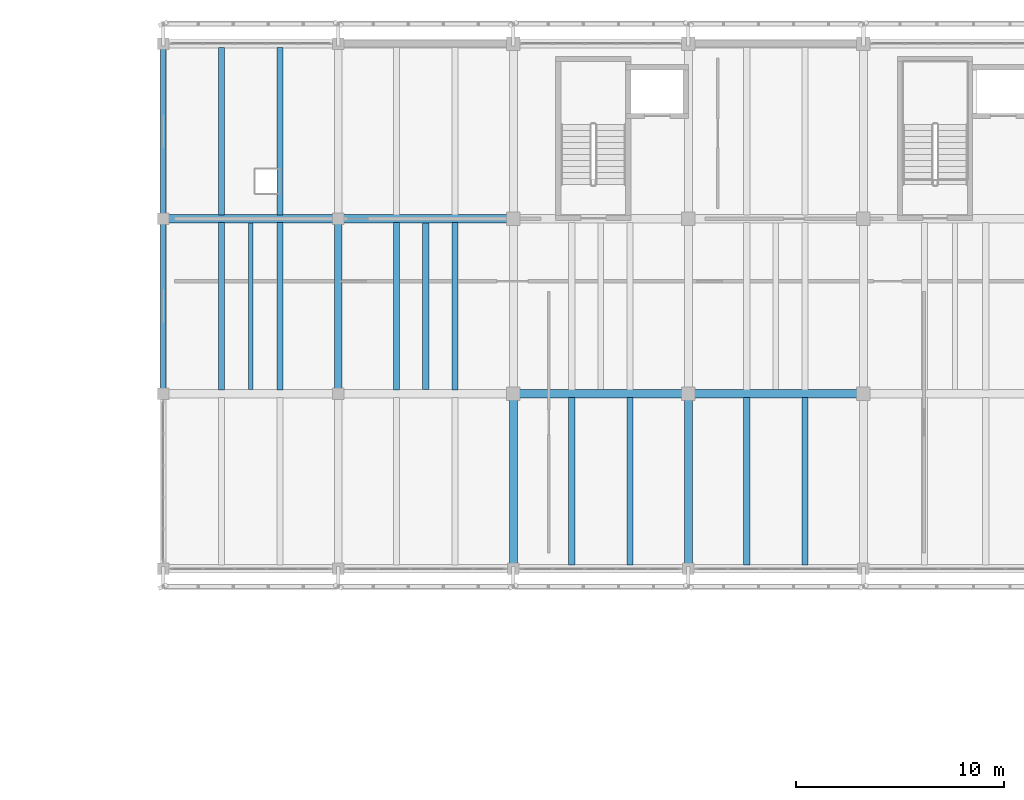
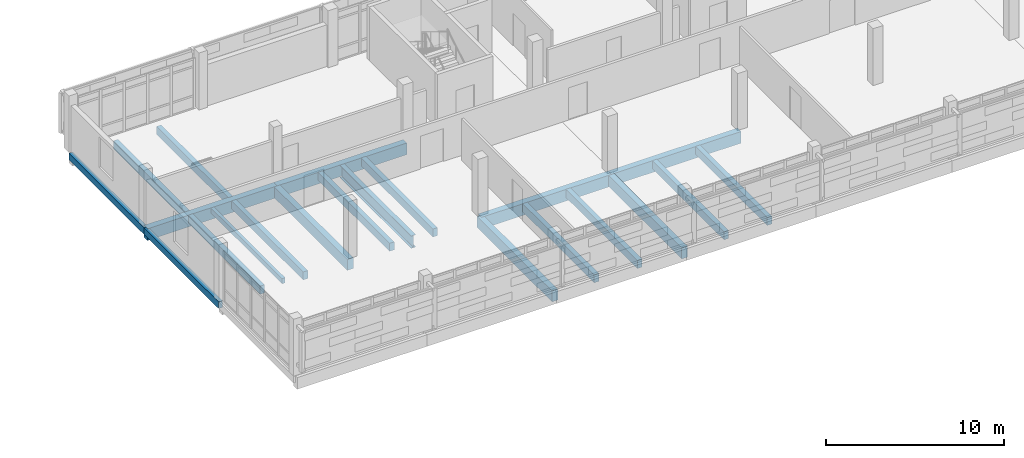
# One storey, part 45 of 117: 21 beams.
"""IFC4 building model written with IfcOpenShell, lengths in metres."""

import ifcopenshell
import ifcopenshell.guid

model = None  # the IFC model being written
_history = None  # IfcOwnerHistory: only IFC2X3 demands one
_inside = {}  # id of a spatial element -> (the spatial element, [elements in it])
_under = {}  # id of a project, library or spatial element -> (it, [spatial elements below it])
_declared = {}  # id of a project -> (the project, [libraries it declares])
_typed = {}  # id of a type object -> (the type object, [elements of that type])
_made_of = {}  # id of a material, layer set ... -> (it, [elements and type objects made of it])


def new_model(schema):
    """Start an empty IFC model of exactly this schema.

    Asked for "IFC4X3", IfcOpenShell would pick the latest addendum, in which some entities
    have other attributes; the version numbers below select the first issue.
    IFC2X3 requires an IfcOwnerHistory on every rooted entity: one is made here for all.
    """
    global model, _history
    if schema == "IFC4X3":
        model = ifcopenshell.file(schema_version=(4, 3, 0, 0))
    else:
        model = ifcopenshell.file(schema=schema)
    _inside.clear()
    _under.clear()
    _declared.clear()
    _typed.clear()
    _made_of.clear()
    _history = None
    if model.schema == "IFC2X3":
        org = make("IfcOrganization", Name="unknown")
        user = make(
            "IfcPersonAndOrganization",
            ThePerson=make("IfcPerson", FamilyName="unknown"),
            TheOrganization=org,
        )
        app = make(
            "IfcApplication",
            ApplicationDeveloper=org,
            Version="unknown",
            ApplicationFullName="unknown",
            ApplicationIdentifier="unknown",
        )
        _history = make(
            "IfcOwnerHistory",
            OwningUser=user,
            OwningApplication=app,
            ChangeAction="ADDED",
            CreationDate=0,
        )
    return model


def make(cls, **values):
    """One entity of the class cls with the attributes given. An attribute that is None is left unset."""
    return model.create_entity(
        cls, **{name: value for name, value in values.items() if value is not None}
    )


def rooted(cls, **values):
    """An entity with a GlobalId (a new one), such as an element, a storey or a relation."""
    return make(cls, GlobalId=ifcopenshell.guid.new(), OwnerHistory=_history, **values)


def si_unit(unit_type, name, prefix=None):
    """IfcSIUnit, for example si_unit("LENGTHUNIT", "METRE", prefix="MILLI")."""
    return make("IfcSIUnit", UnitType=unit_type, Prefix=prefix, Name=name)


def assignment(units):
    """IfcUnitAssignment: the units of a project."""
    return None if units is None else make("IfcUnitAssignment", Units=units)


def point(xyz):
    """IfcCartesianPoint."""
    return None if xyz is None else make("IfcCartesianPoint", Coordinates=xyz)


def direction(xyz):
    """IfcDirection."""
    return None if xyz is None else make("IfcDirection", DirectionRatios=xyz)


def frame(location, z_axis=None, x_axis=None):
    """IfcAxis2Placement3D, a coordinate frame: its origin and axes. An axis left out is left unset."""
    return make(
        "IfcAxis2Placement3D",
        Location=point(location),
        Axis=direction(z_axis),
        RefDirection=direction(x_axis),
    )


def frame_2d(location, x_axis=None):
    """IfcAxis2Placement2D, a coordinate frame in the plane: its origin and x axis."""
    return make(
        "IfcAxis2Placement2D", Location=point(location), RefDirection=direction(x_axis)
    )


def origin():
    """The frame at (0, 0, 0) with its axes left unset."""
    return frame((0.0, 0.0, 0.0))


def origin_2d():
    """The frame at (0, 0) in the plane with its x axis left unset."""
    return frame_2d((0.0, 0.0))


def place(relative_to, where):
    """IfcLocalPlacement: puts the frame where relative to a parent placement (None: the world)."""
    return make(
        "IfcLocalPlacement", PlacementRelTo=relative_to, RelativePlacement=where
    )


def context(
    kind, dimensions, precision=None, world=None, true_north=None, identifier=None
):
    """IfcGeometricRepresentationContext, for example the 3D "Model" context."""
    return make(
        "IfcGeometricRepresentationContext",
        ContextIdentifier=identifier,
        ContextType=kind,
        CoordinateSpaceDimension=dimensions,
        Precision=precision,
        WorldCoordinateSystem=world,
        TrueNorth=true_north,
    )


def subcontext(parent, identifier, kind, view, scale=None):
    """IfcGeometricRepresentationSubContext, for example "Body" below "Model"."""
    return make(
        "IfcGeometricRepresentationSubContext",
        ContextIdentifier=identifier,
        ContextType=kind,
        ParentContext=parent,
        TargetScale=scale,
        TargetView=view,
    )


def project(units=None, contexts=None):
    """IfcProject with its units and contexts."""
    return rooted(
        "IfcProject",
        Name="project",
        RepresentationContexts=contexts,
        UnitsInContext=assignment(units),
    )


def spatial(cls, under=None, at=None, **own):
    """A site, building, storey or space (cls), placed at a placement, below another one or the project."""
    s = rooted(cls, ObjectPlacement=at, **own)
    if under is not None:
        _under.setdefault(under.id(), (under, []))[1].append(s)
    return s


def profile(cls, at=None, kind="AREA", **sizes):
    """A parametric profile (cls). Its sizes go by their IFC names, for example OverallWidth=200.0."""
    return make(cls, ProfileType=kind, Position=at, **sizes)


def rectangle(**sizes):
    """IfcRectangleProfileDef."""
    return profile("IfcRectangleProfileDef", **sizes)


def i_section(**sizes):
    """IfcIShapeProfileDef."""
    return profile("IfcIShapeProfileDef", **sizes)


def extrude(swept, where, along, depth):
    """IfcExtrudedAreaSolid: the profile swept, set in the frame where, extruded along a direction by depth."""
    return make(
        "IfcExtrudedAreaSolid",
        SweptArea=swept,
        Position=where,
        ExtrudedDirection=direction(along),
        Depth=depth,
    )


def shape(context_of_items, identifier, shape_type, items):
    """IfcShapeRepresentation: the items that make up one representation, for example the "Body"."""
    return make(
        "IfcShapeRepresentation",
        ContextOfItems=context_of_items,
        RepresentationIdentifier=identifier,
        RepresentationType=shape_type,
        Items=items,
    )


def material(Name=None, Category=None):
    """IfcMaterial."""
    return make("IfcMaterial", Name=Name, Category=Category)


def material_profile(
    of_material, cross_section, Name=None, Category=None, Priority=None
):
    """IfcMaterialProfile: a cross section and its material."""
    return make(
        "IfcMaterialProfile",
        Name=Name,
        Material=of_material,
        Profile=cross_section,
        Priority=Priority,
        Category=Category,
    )


def profile_set(profiles, Name=None, composite=None):
    """IfcMaterialProfileSet."""
    return make(
        "IfcMaterialProfileSet",
        Name=Name,
        MaterialProfiles=profiles,
        CompositeProfile=composite,
    )


def made_of(thing, what):
    """Note that an element or type object is made of a material, layer set ...; save() writes the relation."""
    if what is not None:
        _made_of.setdefault(what.id(), (what, []))[1].append(thing)
    return thing


def type_object(cls, material=None, **own):
    """A type object (cls), such as IfcWallType, which elements share."""
    return made_of(rooted(cls, **own), material)


def element(
    cls,
    number,
    at=None,
    inside=None,
    cuts=None,
    type_object=None,
    material=None,
    context=None,
    identifier="Body",
    shape_type=None,
    held_by="IfcProductDefinitionShape",
    body=None,
    shapes=None,
    **own,
):
    """One element of the class cls, such as IfcWall. Its Tag is "e" and its number.

    at: its placement. inside: the storey or other place that contains it. cuts: it is an
    opening in that element (IfcRelVoidsElement). A single representation is given by context,
    identifier, shape_type and body (its items); several are given by shapes. held_by: the class
    of the entity that holds the representations. save() writes the other relations.
    """
    e = rooted(cls, Tag="e%d" % number, ObjectPlacement=at, **own)
    if body is not None:
        shapes = [shape(context, identifier, shape_type, body)]
    if shapes is not None:
        e.Representation = make(held_by, Representations=shapes)
    if inside is not None:
        _inside.setdefault(inside.id(), (inside, []))[1].append(e)
    if cuts is not None:
        rooted(
            "IfcRelVoidsElement", RelatingBuildingElement=cuts, RelatedOpeningElement=e
        )
    if type_object is not None:
        _typed.setdefault(type_object.id(), (type_object, []))[1].append(e)
    return made_of(e, material)


def aggregate(whole, parts):
    """IfcRelAggregates: a whole, such as a stair, and the parts it consists of."""
    return rooted("IfcRelAggregates", RelatingObject=whole, RelatedObjects=parts)


def save(model, path):
    """Write the relations noted so far, then the file.

    IfcRelAggregates (storeys below a building ...), IfcRelContainedInSpatialStructure (elements
    in a storey), IfcRelDefinesByType, IfcRelAssociatesMaterial and IfcRelDeclares: one each for
    every whole, place, type object, material and project.
    """
    for whole, parts in _under.values():
        aggregate(whole, parts)
    for where, things in _inside.values():
        rooted(
            "IfcRelContainedInSpatialStructure",
            RelatedElements=things,
            RelatingStructure=where,
        )
    for kind, things in _typed.values():
        rooted("IfcRelDefinesByType", RelatedObjects=things, RelatingType=kind)
    for what, things in _made_of.values():
        rooted("IfcRelAssociatesMaterial", RelatedObjects=things, RelatingMaterial=what)
    for by, libraries in _declared.values():
        rooted("IfcRelDeclares", RelatingContext=by, RelatedDefinitions=libraries)
    model.write(path)


model = new_model("IFC4")

# Units and contexts
model_context = context("Model", 3, precision=1e-05, world=origin(), true_north=direction((0.0, 1.0)))
body_context = subcontext(model_context, "Body", "Model", "MODEL_VIEW")
ifc_project = project(units=[si_unit("LENGTHUNIT", "METRE"), si_unit("AREAUNIT", "SQUARE_METRE"), si_unit("VOLUMEUNIT", "CUBIC_METRE"), si_unit("PLANEANGLEUNIT", "RADIAN"), si_unit("MASSUNIT", "GRAM", prefix="KILO")], contexts=[model_context])

# Site, building, storey
site_placement = place(None, origin())
site = spatial("IfcSite", under=ifc_project, at=site_placement, CompositionType="ELEMENT")
building_placement = place(site_placement, origin())
building = spatial("IfcBuilding", under=site, at=building_placement, Name="Cinderway Yard Community Centre", CompositionType="ELEMENT")
storey_placement = place(building_placement, frame((0.0, 0.0, 9.0)))
storey = spatial("IfcBuildingStorey", under=building, at=storey_placement, Name="L02", CompositionType="ELEMENT", Elevation=9.0)

# Beams
ifc_material_1 = material(Name="Concrete C35/45", Category="concrete")
ifc_material_profile_1 = material_profile(ifc_material_1, rectangle(XDim=0.199951171875, YDim=0.35009765625, at=origin_2d()), Name="Concrete C35/45")
ifc_profile_set_1 = profile_set([ifc_material_profile_1], Name="Concrete C35/45")
beam_type_1 = type_object("IfcBeamType", Name="STR-BM-RC200X350", PredefinedType="LINTEL", material=ifc_profile_set_1)
beam_1_placement = place(storey_placement, frame((45.800048828125, 98.60009765625, -0.4150390625), z_axis=(0.0, 1.0, 0.0), x_axis=(-1.0, 0.0, 0.0)))
element("IfcBeam", 1, at=beam_1_placement, inside=storey, type_object=beam_type_1, Name="Mid-bay secondary beam STR-BM-L02-LN02-1174", PredefinedType="LINTEL", context=body_context, shape_type="SweptSolid", body=[
    extrude(rectangle(XDim=0.199951171875, YDim=0.35009765625, at=origin_2d()), origin(), (0.0, 0.0, 1.0), 8.0),
])
ifc_material_2 = material(Name="Concrete C40/50", Category="concrete")
ifc_material_profile_2 = material_profile(ifc_material_2, rectangle(XDim=0.25, YDim=0.449951171875, at=origin_2d()), Name="Concrete C40/50")
ifc_profile_set_2 = profile_set([ifc_material_profile_2], Name="Concrete C40/50")
beam_type_2 = type_object("IfcBeamType", Name="STR-BM-RC250X450", PredefinedType="SPANDREL", material=ifc_profile_set_2)
beam_2_placement = place(storey_placement, frame((41.60009765625, 98.39990234375, -0.465087890625), z_axis=(0.0, 1.0, 0.0), x_axis=(-1.0, 0.0, 0.0)))
element("IfcBeam", 2, at=beam_2_placement, inside=storey, type_object=beam_type_2, Name="Transverse girder STR-BM-L02-SP02-0545", PredefinedType="SPANDREL", context=body_context, shape_type="SweptSolid", body=[
    extrude(rectangle(XDim=0.25, YDim=0.449951171875, at=origin_2d()), origin(), (0.0, 0.0, 1.0), 8.400146484375),
])
beam_3_placement = place(storey_placement, frame((41.60009765625, 106.800048828125, -0.465087890625), z_axis=(0.0, 1.0, 0.0), x_axis=(-1.0, 0.0, 0.0)))
element("IfcBeam", 3, at=beam_3_placement, inside=storey, type_object=beam_type_2, Name="Transverse girder STR-BM-L02-SP02-0546", PredefinedType="SPANDREL", context=body_context, shape_type="SweptSolid", body=[
    extrude(rectangle(XDim=0.25, YDim=0.449951171875, at=origin_2d()), origin(), (0.0, 0.0, 1.0), 8.39990234375),
])
ifc_material_profile_3 = material_profile(ifc_material_1, rectangle(XDim=0.300048828125, YDim=0.550048828125, at=origin_2d()), Name="Concrete C35/45")
ifc_profile_set_3 = profile_set([ifc_material_profile_3], Name="Concrete C35/45")
beam_type_3 = type_object("IfcBeamType", Name="STR-BM-RC300X550", PredefinedType="JOIST", material=ifc_profile_set_3)
for number, where, z_axis, x_axis, name in (
    (4, (44.39990234375, 98.58203125, -0.514892578125), (0.0, 1.0, 0.0), (-1.0, 0.0, 0.0), "Secondary joist STR-BM-L02-BJ03-0585"),
    (5, (47.199951171875, 98.58203125, -0.514892578125), (0.0, 1.0, 0.0), (-1.0, 0.0, 0.0), "Secondary joist STR-BM-L02-BJ03-0586"),
):
    element("IfcBeam", number, at=place(storey_placement, frame(where, z_axis=z_axis, x_axis=x_axis)), inside=storey, type_object=beam_type_3, Name=name, PredefinedType="JOIST", context=body_context, shape_type="SweptSolid", body=[
        extrude(rectangle(XDim=0.300048828125, YDim=0.550048828125, at=origin_2d()), origin(), (0.0, 0.0, 1.0), 8.035888671875),
    ])
for number, where, z_axis, x_axis, name in (
    (6, (44.39990234375, 106.98193359375, -0.514892578125), (0.0, 1.0, 0.0), (-1.0, 0.0, 0.0), "Secondary joist STR-BM-L02-BJ03-0587"),
    (7, (47.199951171875, 106.98193359375, -0.514892578125), (0.0, 1.0, 0.0), (-1.0, 0.0, 0.0), "Secondary joist STR-BM-L02-BJ03-0588"),
):
    element("IfcBeam", number, at=place(storey_placement, frame(where, z_axis=z_axis, x_axis=x_axis)), inside=storey, type_object=beam_type_3, Name=name, PredefinedType="JOIST", context=body_context, shape_type="SweptSolid", body=[
        extrude(rectangle(XDim=0.300048828125, YDim=0.550048828125, at=origin_2d()), origin(), (0.0, 0.0, 1.0), 8.0361328125),
    ])
for number, where, z_axis, x_axis, name in (
    (8, (52.800048828125, 98.58203125, -0.514892578125), (0.0, 1.0, 0.0), (-1.0, 0.0, 0.0), "Secondary joist STR-BM-L02-BJ03-0591"),
    (9, (55.60009765625, 98.58203125, -0.514892578125), (0.0, 1.0, 0.0), (-1.0, 0.0, 0.0), "Secondary joist STR-BM-L02-BJ03-0592"),
):
    element("IfcBeam", number, at=place(storey_placement, frame(where, z_axis=z_axis, x_axis=x_axis)), inside=storey, type_object=beam_type_3, Name=name, PredefinedType="JOIST", context=body_context, shape_type="SweptSolid", body=[
        extrude(rectangle(XDim=0.300048828125, YDim=0.550048828125, at=origin_2d()), origin(), (0.0, 0.0, 1.0), 8.035888671875),
    ])
for number, where, z_axis, x_axis, name in (
    (10, (61.199951171875, 90.181884765625, -0.514892578125), (0.0, 1.0, 0.0), (-1.0, 0.0, 0.0), "Secondary joist STR-BM-L02-BJ03-0595"),
    (11, (64.0, 90.181884765625, -0.514892578125), (0.0, 1.0, 0.0), (-1.0, 0.0, 0.0), "Secondary joist STR-BM-L02-BJ03-0596"),
    (12, (69.60009765625, 90.181884765625, -0.514892578125), (0.0, 1.0, 0.0), (-1.0, 0.0, 0.0), "Secondary joist STR-BM-L02-BJ03-0599"),
    (13, (72.39990234375, 90.181884765625, -0.514892578125), (0.0, 1.0, 0.0), (-1.0, 0.0, 0.0), "Secondary joist STR-BM-L02-BJ03-0600"),
):
    element("IfcBeam", number, at=place(storey_placement, frame(where, z_axis=z_axis, x_axis=x_axis)), inside=storey, type_object=beam_type_3, Name=name, PredefinedType="JOIST", context=body_context, shape_type="SweptSolid", body=[
        extrude(rectangle(XDim=0.300048828125, YDim=0.550048828125, at=origin_2d()), origin(), (0.0, 0.0, 1.0), 8.0361328125),
    ])
ifc_material_profile_4 = material_profile(ifc_material_1, rectangle(XDim=0.3798828125, YDim=0.75, at=origin_2d()), Name="Concrete C35/45")
ifc_profile_set_4 = profile_set([ifc_material_profile_4], Name="Concrete C35/45")
beam_type_4 = type_object("IfcBeamType", Name="STR-BM-RC380X750", PredefinedType="BEAM", material=ifc_profile_set_4)
beam_4_placement = place(storey_placement, frame((50.0, 98.39990234375, -0.614990234375), z_axis=(0.0, 1.0, 0.0), x_axis=(-1.0, 0.0, 0.0)))
element("IfcBeam", 14, at=beam_4_placement, inside=storey, type_object=beam_type_4, Name="Transverse girder STR-BM-L02-BG06-0548", PredefinedType="BEAM", context=body_context, shape_type="SweptSolid", body=[
    extrude(rectangle(XDim=0.3798828125, YDim=0.75, at=origin_2d()), origin(), (0.0, 0.0, 1.0), 8.400146484375),
])
for number, where, z_axis, x_axis, name in (
    (15, (58.39990234375, 90.0, -0.614990234375), (0.0, 1.0, 0.0), (-1.0, 0.0, 0.0), "Transverse girder STR-BM-L02-BG06-0550"),
    (16, (66.800048828125, 90.0, -0.614990234375), (0.0, 1.0, 0.0), (-1.0, 0.0, 0.0), "Transverse girder STR-BM-L02-BG06-0553"),
):
    element("IfcBeam", number, at=place(storey_placement, frame(where, z_axis=z_axis, x_axis=x_axis)), inside=storey, type_object=beam_type_4, Name=name, PredefinedType="BEAM", context=body_context, shape_type="SweptSolid", body=[
        extrude(rectangle(XDim=0.3798828125, YDim=0.75, at=origin_2d()), origin(), (0.0, 0.0, 1.0), 8.39990234375),
    ])
ifc_material_profile_5 = material_profile(ifc_material_2, rectangle(XDim=0.39990234375, YDim=0.800048828125, at=origin_2d()), Name="Concrete C40/50")
ifc_profile_set_5 = profile_set([ifc_material_profile_5], Name="Concrete C40/50")
beam_type_5 = type_object("IfcBeamType", Name="STR-BM-RC400X800", PredefinedType="BEAM", material=ifc_profile_set_5)
beam_5_placement = place(storey_placement, frame((58.39990234375, 98.39990234375, -0.639892578125), z_axis=(1.0, 0.0, 0.0), x_axis=(0.0, 1.0, 0.0)))
element("IfcBeam", 17, at=beam_5_placement, inside=storey, type_object=beam_type_5, Name="Primary girder STR-BM-L02-BG05-0510", PredefinedType="BEAM", context=body_context, shape_type="SweptSolid", body=[
    extrude(rectangle(XDim=0.39990234375, YDim=0.800048828125, at=origin_2d()), origin(), (0.0, 0.0, 1.0), 8.400146484375),
])
for number, where, z_axis, x_axis, name in (
    (18, (66.800048828125, 98.39990234375, -0.639892578125), (1.0, 0.0, 0.0), (0.0, 1.0, 0.0), "Primary girder STR-BM-L02-BG05-0511"),
    (19, (41.60009765625, 106.800048828125, -0.639892578125), (1.0, 0.0, 0.0), (0.0, 1.0, 0.0), "Primary girder STR-BM-L02-BG05-0520"),
    (20, (50.0, 106.800048828125, -0.639892578125), (1.0, 0.0, 0.0), (0.0, 1.0, 0.0), "Primary girder STR-BM-L02-BG05-0521"),
):
    element("IfcBeam", number, at=place(storey_placement, frame(where, z_axis=z_axis, x_axis=x_axis)), inside=storey, type_object=beam_type_5, Name=name, PredefinedType="BEAM", context=body_context, shape_type="SweptSolid", body=[
        extrude(rectangle(XDim=0.39990234375, YDim=0.800048828125, at=origin_2d()), origin(), (0.0, 0.0, 1.0), 8.39990234375),
    ])
ifc_material_3 = material(Name="Steel S355", Category="steel")
ifc_material_profile_6 = material_profile(ifc_material_3, i_section(OverallWidth=0.2919921875, OverallDepth=0.85107421875, WebThickness=0.01611328125, FlangeThickness=0.025390625, FilletRadius=0.02197265625, at=origin_2d()), Name="Steel S355")
ifc_profile_set_6 = profile_set([ifc_material_profile_6], Name="Steel S355")
beam_type_6 = type_object("IfcBeamType", Name="STR-BM-W840X251", PredefinedType="BEAM", material=ifc_profile_set_6)
beam_6_placement = place(storey_placement, frame((54.199951171875, 98.60009765625, -0.6650390625), z_axis=(0.0, 1.0, 0.0), x_axis=(-1.0, 0.0, 0.0)))
element("IfcBeam", 21, at=beam_6_placement, inside=storey, type_object=beam_type_6, Name="Mid-bay secondary beam STR-BM-L02-SB02-1175", PredefinedType="BEAM", context=body_context, shape_type="SweptSolid", body=[
    extrude(i_section(OverallWidth=0.2919921875, OverallDepth=0.85107421875, WebThickness=0.01611328125, FlangeThickness=0.025390625, FilletRadius=0.02197265625, at=origin_2d()), origin(), (0.0, 0.0, 1.0), 8.0),
])

save(model, "model.ifc")
